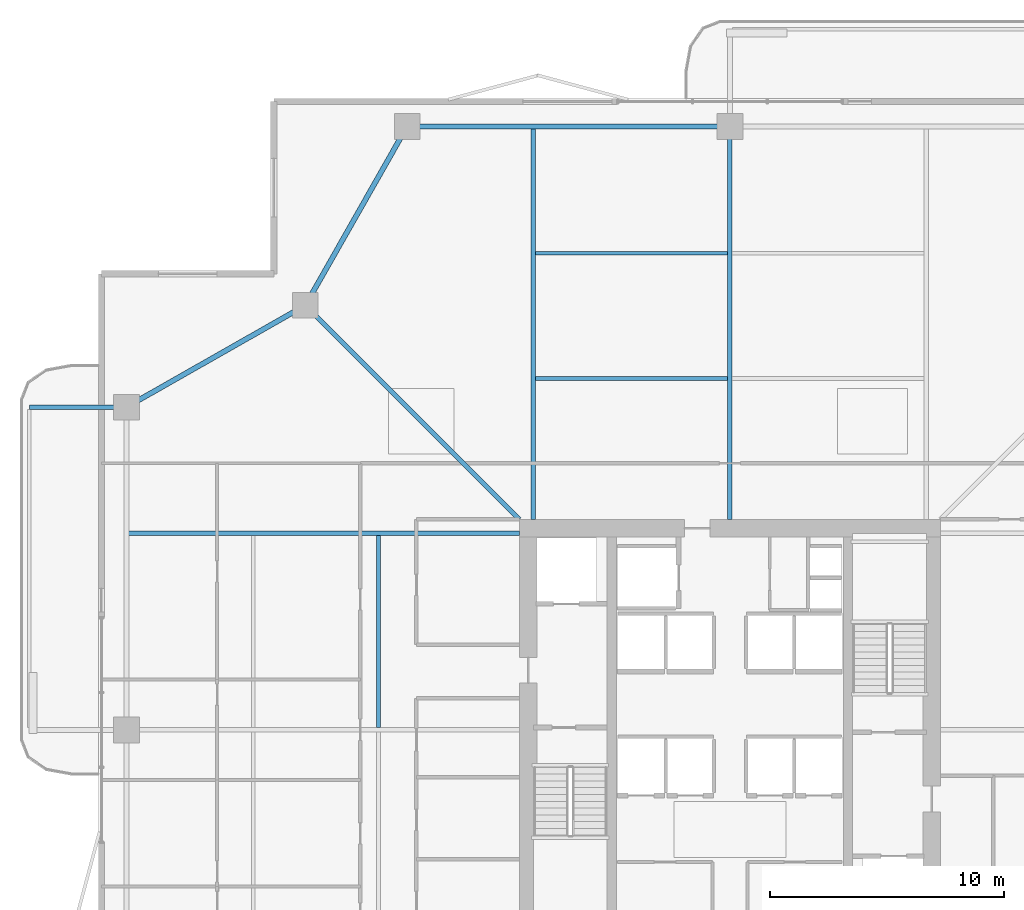
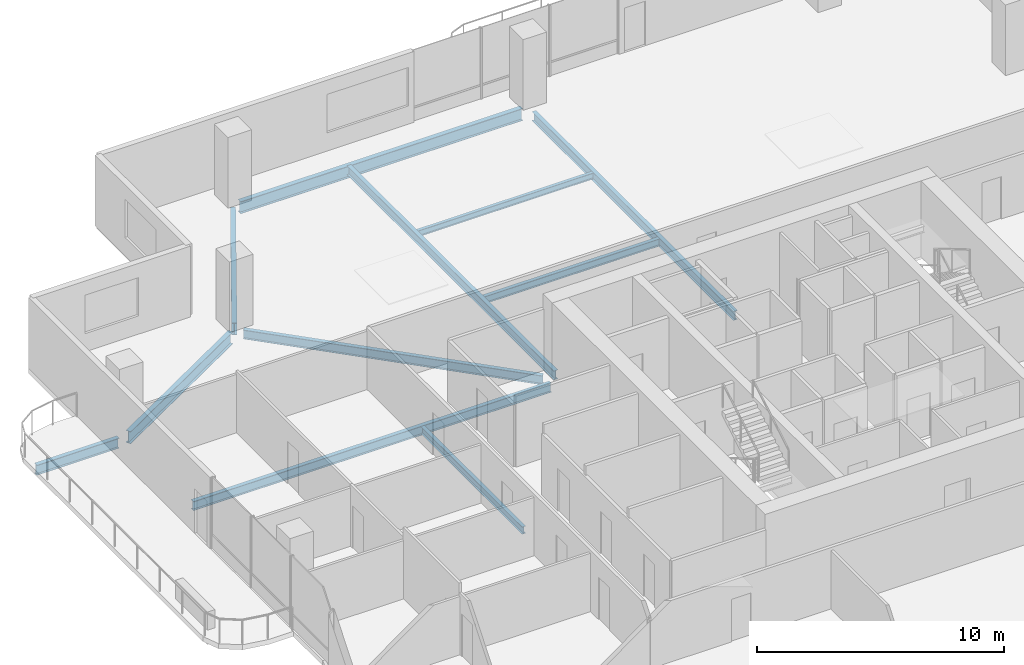
# One storey, part 10 of 23: 11 beams.
"""IFC4 building model written with IfcOpenShell, lengths in metres."""

from ifc_helpers import new_model, si_unit, direction, frame, origin, origin_2d, place, context, subcontext, project, spatial, i_section, extrude, material, material_profile, profile_set, type_object, element, save


model = new_model("IFC4")

# Units and contexts
model_context = context("Model", 3, precision=1e-05, world=origin(), true_north=direction((0.0, 1.0)))
body_context = subcontext(model_context, "Body", "Model", "MODEL_VIEW")
ifc_project = project(units=[si_unit("LENGTHUNIT", "METRE"), si_unit("AREAUNIT", "SQUARE_METRE"), si_unit("VOLUMEUNIT", "CUBIC_METRE"), si_unit("PLANEANGLEUNIT", "RADIAN"), si_unit("MASSUNIT", "GRAM", prefix="KILO")], contexts=[model_context])

# Site, building, storey
site_placement = place(None, origin())
site = spatial("IfcSite", under=ifc_project, at=site_placement, CompositionType="ELEMENT")
building_placement = place(site_placement, origin())
building = spatial("IfcBuilding", under=site, at=building_placement, Name="Belovzor Exchange Tower", CompositionType="ELEMENT")
storey_placement = place(building_placement, frame((0.0, 0.0, 229.949951171875)))
storey = spatial("IfcBuildingStorey", under=building, at=storey_placement, Name="L57", CompositionType="ELEMENT", Elevation=229.949951171875)

# Beams
ifc_material_1 = material(Name="Steel S355", Category="steel")
ifc_material_profile_1 = material_profile(ifc_material_1, i_section(OverallWidth=0.199951171875, OverallDepth=0.5, WebThickness=0.01025390625, FlangeThickness=0.01611328125, at=origin_2d()))
ifc_profile_set_1 = profile_set([ifc_material_profile_1], Name="Steel S355")
beam_type_1 = type_object("IfcBeamType", Name="Planted Balcony Cantilever Beam IPE 500", PredefinedType="BEAM", material=ifc_profile_set_1)
beam_1_placement = place(storey_placement, frame((2.697021484375, 42.60009765625, -0.5), z_axis=(-1.0, 0.0, 0.0), x_axis=(0.0, -1.0, 0.0)))
element("IfcBeam", 1, at=beam_1_placement, inside=storey, type_object=beam_type_1, Name="BC-500 Planted Balcony Cantilever Beam IPE 500", PredefinedType="BEAM", context=body_context, shape_type="SweptSolid", body=[
    extrude(i_section(OverallWidth=0.199951171875, OverallDepth=0.5, WebThickness=0.01025390625, FlangeThickness=0.01611328125, at=origin_2d()), origin(), (0.0, 0.0, 1.0), 3.85009765625),
])
ifc_material_2 = material(Name="Steel S355", Category="steel")
ifc_material_profile_2 = material_profile(ifc_material_2, i_section(OverallWidth=0.169921875, OverallDepth=0.360107421875, WebThickness=0.008056640625, FlangeThickness=0.0126953125, at=origin_2d()))
ifc_profile_set_2 = profile_set([ifc_material_profile_2], Name="Steel S355")
beam_type_2 = type_object("IfcBeamType", Name="Secondary Infill Floor Joist IPE 360", PredefinedType="BEAM", material=ifc_profile_set_2)
for number, where, z_axis, x_axis, name in (
    (2, (20.4951171875, 43.827880859375, -0.429931640625), (1.0, 0.0, 0.0), (0.0, 1.0, 0.0), "FJ-360 Secondary Infill Floor Joist IPE 360"),
    (3, (13.77197265625, 28.89501953125, -0.429931640625), (0.0, 1.0, 0.0), (-1.0, 0.0, 0.0), "FJ-360 Secondary Infill Floor Joist IPE 360"),
):
    element("IfcBeam", number, at=place(storey_placement, frame(where, z_axis=z_axis, x_axis=x_axis)), inside=storey, type_object=beam_type_2, Name=name, PredefinedType="BEAM", context=body_context, shape_type="SweptSolid", body=[
        extrude(i_section(OverallWidth=0.169921875, OverallDepth=0.360107421875, WebThickness=0.008056640625, FlangeThickness=0.0126953125, at=origin_2d()), origin(), (0.0, 0.0, 1.0), 8.2099609375),
    ])
ifc_material_3 = material(Name="Steel S355", Category="steel")
ifc_material_profile_3 = material_profile(ifc_material_3, i_section(OverallWidth=0.14990234375, OverallDepth=0.300048828125, WebThickness=0.007080078125, FlangeThickness=0.0107421875, at=origin_2d()))
ifc_profile_set_3 = profile_set([ifc_material_profile_3], Name="Steel S355")
beam_type_3 = type_object("IfcBeamType", Name="Secondary Trim Floor Joist IPE 300", PredefinedType="BEAM", material=ifc_profile_set_3)
beam_2_placement = place(storey_placement, frame((20.4951171875, 49.18701171875, -0.39990234375), z_axis=(1.0, 0.0, 0.0), x_axis=(0.0, 1.0, 0.0)))
element("IfcBeam", 4, at=beam_2_placement, inside=storey, type_object=beam_type_3, Name="FJ-300 Secondary Trim Floor Joist IPE 300", PredefinedType="BEAM", context=body_context, shape_type="SweptSolid", body=[
    extrude(i_section(OverallWidth=0.14990234375, OverallDepth=0.300048828125, WebThickness=0.007080078125, FlangeThickness=0.0107421875, at=origin_2d()), origin(), (0.0, 0.0, 1.0), 8.2099609375),
])
ifc_material_4 = material(Name="Steel S355", Category="steel")
ifc_material_profile_4 = material_profile(ifc_material_4, i_section(OverallWidth=0.18994140625, OverallDepth=0.449951171875, WebThickness=0.009521484375, FlangeThickness=0.0146484375, at=origin_2d()))
ifc_profile_set_4 = profile_set([ifc_material_profile_4], Name="Steel S355")
beam_type_4 = type_object("IfcBeamType", Name="Zone 2-4 Radial Composite Floor Beam IPE 450", PredefinedType="BEAM", material=ifc_profile_set_4)
beam_3_placement = place(storey_placement, frame((20.39990234375, 37.800048828125, -0.474853515625), z_axis=(0.0, 1.0, 0.0), x_axis=(-1.0, 0.0, 0.0)))
element("IfcBeam", 5, at=beam_3_placement, inside=storey, type_object=beam_type_4, Name="FB-450 Zone 2-4 Radial Composite Floor Beam IPE 450", PredefinedType="BEAM", context=body_context, shape_type="SweptSolid", body=[
    extrude(i_section(OverallWidth=0.18994140625, OverallDepth=0.449951171875, WebThickness=0.009521484375, FlangeThickness=0.0146484375, at=origin_2d()), origin(), (0.0, 0.0, 1.0), 16.744873046875),
])
beam_4_placement = place(storey_placement, frame((28.800048828125, 37.800048828125, -0.474853515625), z_axis=(0.0, 1.0, 0.0), x_axis=(-1.0, 0.0, 0.0)))
element("IfcBeam", 6, at=beam_4_placement, inside=storey, type_object=beam_type_4, Name="FB-450 Zone 2-4 Radial Composite Floor Beam IPE 450", PredefinedType="BEAM", context=body_context, shape_type="SweptSolid", body=[
    extrude(i_section(OverallWidth=0.18994140625, OverallDepth=0.449951171875, WebThickness=0.009521484375, FlangeThickness=0.0146484375, at=origin_2d()), origin(), (0.0, 0.0, 1.0), 16.31591796875),
])
beam_5_placement = place(storey_placement, frame((19.800048828125, 37.199951171875, -0.474853515625), z_axis=(-1.0, 0.0, 0.0), x_axis=(0.0, -1.0, 0.0)))
element("IfcBeam", 7, at=beam_5_placement, inside=storey, type_object=beam_type_4, Name="FB-450 Zone 2-4 Radial Composite Floor Beam IPE 450", PredefinedType="BEAM", context=body_context, shape_type="SweptSolid", body=[
    extrude(i_section(OverallWidth=0.18994140625, OverallDepth=0.449951171875, WebThickness=0.009521484375, FlangeThickness=0.0146484375, at=origin_2d()), origin(), (0.0, 0.0, 1.0), 16.7451171875),
])
beam_6_placement = place(storey_placement, frame((19.800048828125, 37.800048828125, -0.474853515625), z_axis=(-0.707106781187, 0.707106781187, 0.0), x_axis=(-0.707106781187, -0.707106781187, 0.0)))
element("IfcBeam", 8, at=beam_6_placement, inside=storey, type_object=beam_type_4, Name="FB-450 Zone 2-4 Radial Composite Floor Beam IPE 450", PredefinedType="BEAM", context=body_context, shape_type="SweptSolid", body=[
    extrude(i_section(OverallWidth=0.18994140625, OverallDepth=0.449951171875, WebThickness=0.009521484375, FlangeThickness=0.0146484375, at=origin_2d()), origin(), (0.0, 0.0, 1.0), 12.551025390625),
])
ifc_material_5 = material(Name="Steel S355", Category="steel")
ifc_material_profile_5 = material_profile(ifc_material_5, i_section(OverallWidth=0.219970703125, OverallDepth=0.60009765625, WebThickness=0.011962890625, FlangeThickness=0.01904296875, at=origin_2d()))
ifc_profile_set_5 = profile_set([ifc_material_profile_5], Name="Steel S355")
beam_type_5 = type_object("IfcBeamType", Name="Zone 4 Flare Primary Girder IPE 600", PredefinedType="BEAM", material=ifc_profile_set_5)
beam_7_placement = place(storey_placement, frame((28.498046875, 54.60009765625, -0.550048828125), z_axis=(-1.0, 0.0, 0.0), x_axis=(0.0, -1.0, 0.0)))
element("IfcBeam", 9, at=beam_7_placement, inside=storey, type_object=beam_type_5, Name="FG-Z4 Zone 4 Flare Primary Girder IPE 600", PredefinedType="BEAM", context=body_context, shape_type="SweptSolid", body=[
    extrude(i_section(OverallWidth=0.219970703125, OverallDepth=0.60009765625, WebThickness=0.011962890625, FlangeThickness=0.01904296875, at=origin_2d()), origin(), (0.0, 0.0, 1.0), 13.195068359375),
])
for number, where, z_axis, x_axis, name in (
    (10, (14.85009765625, 54.3369140625, -0.550048828125), (-0.494222323641, -0.869335547884, 0.0), (0.869335547884, -0.494222323641, 0.0), "FG-Z4 Zone 4 Flare Primary Girder IPE 600"),
    (11, (10.386962890625, 46.800048828125, -0.550048828125), (-0.869335547884, -0.494222323641, 0.0), (0.494222323641, -0.869335547884, 0.0), "FG-Z4 Zone 4 Flare Primary Girder IPE 600"),
):
    element("IfcBeam", number, at=place(storey_placement, frame(where, z_axis=z_axis, x_axis=x_axis)), inside=storey, type_object=beam_type_5, Name=name, PredefinedType="BEAM", context=body_context, shape_type="SweptSolid", body=[
        extrude(i_section(OverallWidth=0.219970703125, OverallDepth=0.60009765625, WebThickness=0.011962890625, FlangeThickness=0.01904296875, at=origin_2d()), origin(), (0.0, 0.0, 1.0), 8.19482421875),
    ])

save(model, "model.ifc")
